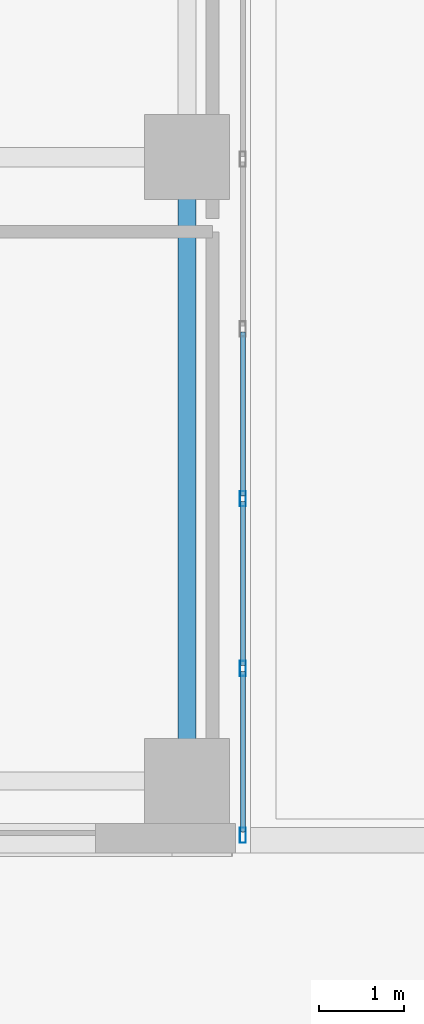
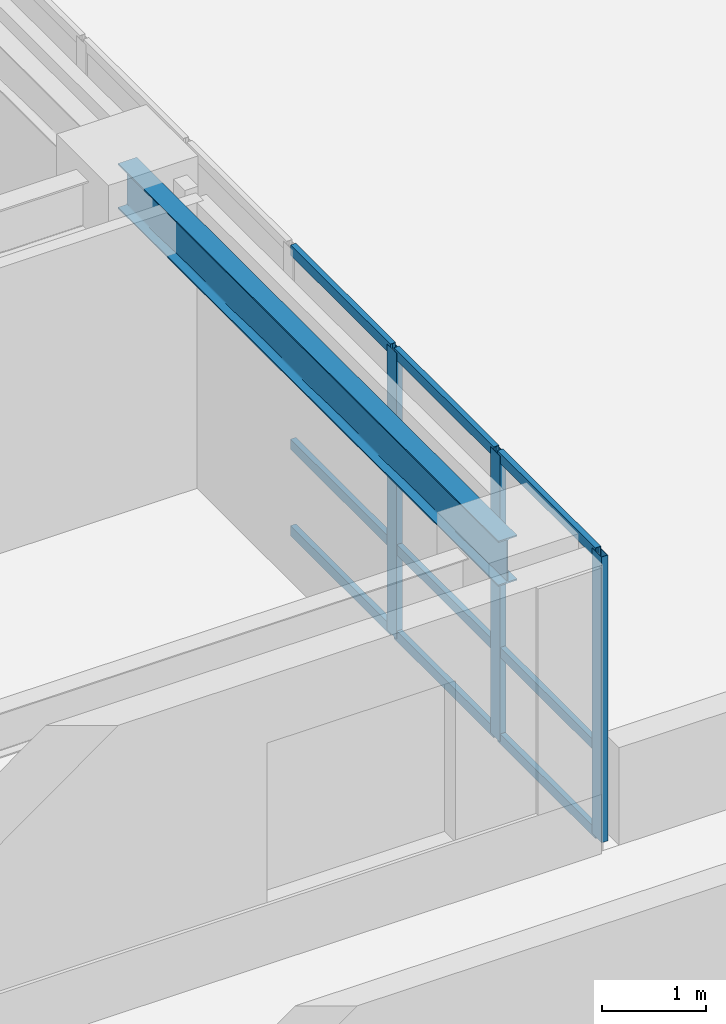
# One storey, part 2 of 25: 12 members, 1 beam, 1 element without a shape of its own.
"""IFC4 building model written with IfcOpenShell, lengths in metres."""

from ifc_helpers import new_model, si_unit, direction, frame, origin, origin_2d, place, context, subcontext, project, spatial, hollow_rectangle, i_section, extrude, source, transform, mapped, material, layer, layer_set, material_profile, profile_set, type_object, type_shapes, element, aggregate, save


model = new_model("IFC4")

# Units and contexts
model_context = context("Model", 3, precision=1e-05, world=origin(), true_north=direction((0.0, 1.0)))
body_context = subcontext(model_context, "Body", "Model", "MODEL_VIEW")
ifc_project = project(units=[si_unit("LENGTHUNIT", "METRE"), si_unit("AREAUNIT", "SQUARE_METRE"), si_unit("VOLUMEUNIT", "CUBIC_METRE"), si_unit("PLANEANGLEUNIT", "RADIAN"), si_unit("MASSUNIT", "GRAM", prefix="KILO")], contexts=[model_context])

# Site, building, storey
site_placement = place(None, origin())
site = spatial("IfcSite", under=ifc_project, at=site_placement, CompositionType="ELEMENT")
building_placement = place(site_placement, origin())
building = spatial("IfcBuilding", under=site, at=building_placement, Name="Tolvann Quenvar Hotel", CompositionType="ELEMENT")
storey_placement = place(building_placement, frame((0.0, 0.0, 32.0)))
storey = spatial("IfcBuildingStorey", under=building, at=storey_placement, Name="L06", CompositionType="ELEMENT", Elevation=32.0)

# Beam
ifc_material_1 = material(Name="Steel Grade 350", Category="steel")
ifc_material_profile_1 = material_profile(ifc_material_1, i_section(OverallWidth=0.208984375, OverallDepth=0.532958984375, WebThickness=0.01025390625, FlangeThickness=0.015625, FilletRadius=0.013916015625, at=origin_2d()), Name="530UB92")
ifc_profile_set_1 = profile_set([ifc_material_profile_1], Name="Steel Grade 350")
beam_type = type_object("IfcBeamType", Name="BM_GIRD_530UB92", PredefinedType="BEAM", material=ifc_profile_set_1)
shared_shape_1 = source(origin(), body_context, "Body", "SweptSolid", [
    extrude(i_section(OverallWidth=0.208984375, OverallDepth=0.532958984375, WebThickness=0.01025390625, FlangeThickness=0.015625, FilletRadius=0.013916015625, at=origin_2d()), origin(), (0.0, 0.0, 1.0), 7.349853515625),
])
type_shapes(beam_type, [shared_shape_1])
beam_placement = place(storey_placement, frame((22.050048828125, 0.85009765625, 3.103515625), z_axis=(0.0, 1.0, 0.0), x_axis=(-1.0, 0.0, 0.0)))
element("IfcBeam", 1, at=beam_placement, inside=storey, type_object=beam_type, Name="BM-L06-NS-E2-E3", PredefinedType="BEAM", context=body_context, shape_type="MappedRepresentation", body=[
    mapped(shared_shape_1, transform((0.0, 0.0, 0.0), x_axis=(1.0, 0.0, 0.0), y_axis=(0.0, 1.0, 0.0), z_axis=(0.0, 0.0, 1.0), scale=1.0)),
])

# Curtain wall, members
ifc_material_2 = material(Name="Thermally broken anodised architectural aluminium 6063-T6 and laminated low-E glass", Category="aluminium")
ifc_layer = layer(ifc_material_2, 0.179931640625)
ifc_layer_set = layer_set([ifc_layer], Name="Thermally broken anodised architectural aluminium 6063-T6 and laminated low-E glass")
curtain_wall_type = type_object("IfcCurtainWallType", Name="CW_SYS_SLOT_03", PredefinedType="USERDEFINED", material=ifc_layer_set)
curtain_wall_placement = place(storey_placement, origin())
curtain_wall = element("IfcCurtainWall", 2, at=curtain_wall_placement, inside=storey, type_object=curtain_wall_type, Name="Curtain Wall CW-SLOT-03 (CWR-L06-E05)", ObjectType="UNITISED CURTAIN WALL", PredefinedType="USERDEFINED")
ifc_material_3 = material(Name="Anodised architectural aluminium 6063-T6 framing", Category="aluminium")
ifc_material_profile_2 = material_profile(ifc_material_3, hollow_rectangle(XDim=0.070068359375, YDim=0.179931640625, WallThickness=0.00390625, at=origin_2d()), Name="180x70x4RHS")
ifc_profile_set_2 = profile_set([ifc_material_profile_2], Name="Anodised architectural aluminium 6063-T6 framing")
member_type_1 = type_object("IfcMemberType", Name="CW_MULL_180x70", PredefinedType="MULLION", material=ifc_profile_set_2)
shared_shape_2 = source(origin(), body_context, "Body", "SweptSolid", [
    extrude(hollow_rectangle(XDim=0.070068359375, YDim=0.179931640625, WallThickness=0.00390625, at=origin_2d()), origin(), (0.0, 0.0, 1.0), 3.3701171875),
])
type_shapes(member_type_1, [shared_shape_2])
member_1_placement = place(storey_placement, frame((22.7099609375, 0.2099609375, 0.0), z_axis=(0.0, 0.0, 1.0), x_axis=(-1.0, 0.0, 0.0)))
member_1 = element("IfcMember", 3, at=member_1_placement, type_object=member_type_1, Name="CW-SLOT-03 mullion 1", PredefinedType="MULLION", context=body_context, shape_type="MappedRepresentation", body=[
    mapped(shared_shape_2, transform((0.0, 0.0, 0.0), x_axis=(1.0, 0.0, 0.0), y_axis=(0.0, 1.0, 0.0), z_axis=(0.0, 0.0, 1.0), scale=1.0)),
])
member_2_placement = place(storey_placement, frame((22.7099609375, 2.175048828125, 0.0), z_axis=(0.0, 0.0, 1.0), x_axis=(-1.0, 0.0, 0.0)))
member_2 = element("IfcMember", 4, at=member_2_placement, type_object=member_type_1, Name="CW-SLOT-03 mullion 2", PredefinedType="MULLION", context=body_context, shape_type="MappedRepresentation", body=[
    mapped(shared_shape_2, transform((0.0, 0.0, 0.0), x_axis=(1.0, 0.0, 0.0), y_axis=(0.0, 1.0, 0.0), z_axis=(0.0, 0.0, 1.0), scale=1.0)),
])
member_3_placement = place(storey_placement, frame((22.7099609375, 4.175048828125, 0.0), z_axis=(0.0, 0.0, 1.0), x_axis=(-1.0, 0.0, 0.0)))
member_3 = element("IfcMember", 5, at=member_3_placement, type_object=member_type_1, Name="CW-SLOT-03 mullion 3", PredefinedType="MULLION", context=body_context, shape_type="MappedRepresentation", body=[
    mapped(shared_shape_2, transform((0.0, 0.0, 0.0), x_axis=(1.0, 0.0, 0.0), y_axis=(0.0, 1.0, 0.0), z_axis=(0.0, 0.0, 1.0), scale=1.0)),
])
ifc_material_profile_3 = material_profile(ifc_material_3, hollow_rectangle(XDim=0.06005859375, YDim=0.1201171875, WallThickness=0.00341796875, at=origin_2d()), Name="120x60x3.5RHS")
ifc_profile_set_3 = profile_set([ifc_material_profile_3], Name="Anodised architectural aluminium 6063-T6 framing")
member_type_2 = type_object("IfcMemberType", Name="CW_TRAN_120x60", PredefinedType="USERDEFINED", material=ifc_profile_set_3)
shared_shape_3 = source(origin(), body_context, "Body", "SweptSolid", [
    extrude(hollow_rectangle(XDim=0.06005859375, YDim=0.1201171875, WallThickness=0.00341796875, at=origin_2d()), origin(), (0.0, 0.0, 1.0), 1.894775390625),
])
member_4_placement = place(storey_placement, frame((22.7099609375, 0.2451171875, 0.030029296875), z_axis=(0.0, 1.0, 0.0), x_axis=(-1.0, 0.0, 0.0)))
member_4 = element("IfcMember", 6, at=member_4_placement, type_object=member_type_2, Name="CW-SLOT-03 transom 1.1", ObjectType="TRANSOM", PredefinedType="USERDEFINED", context=body_context, shape_type="MappedRepresentation", body=[
    mapped(shared_shape_3, transform((0.0, 0.0, 0.0), x_axis=(1.0, 0.0, 0.0), y_axis=(0.0, 1.0, 0.0), z_axis=(0.0, 0.0, 1.0), scale=1.0)),
])
member_5_placement = place(storey_placement, frame((22.7099609375, 0.2451171875, 1.050048828125), z_axis=(0.0, 1.0, 0.0), x_axis=(-1.0, 0.0, 0.0)))
member_5 = element("IfcMember", 7, at=member_5_placement, type_object=member_type_2, Name="CW-SLOT-03 transom 1.2", ObjectType="TRANSOM", PredefinedType="USERDEFINED", context=body_context, shape_type="MappedRepresentation", body=[
    mapped(shared_shape_3, transform((0.0, 0.0, 0.0), x_axis=(1.0, 0.0, 0.0), y_axis=(0.0, 1.0, 0.0), z_axis=(0.0, 0.0, 1.0), scale=1.0)),
])
member_6_placement = place(storey_placement, frame((22.7099609375, 0.2451171875, 3.340087890625), z_axis=(0.0, 1.0, 0.0), x_axis=(-1.0, 0.0, 0.0)))
member_6 = element("IfcMember", 8, at=member_6_placement, type_object=member_type_2, Name="CW-SLOT-03 transom 1.3", ObjectType="TRANSOM", PredefinedType="USERDEFINED", context=body_context, shape_type="MappedRepresentation", body=[
    mapped(shared_shape_3, transform((0.0, 0.0, 0.0), x_axis=(1.0, 0.0, 0.0), y_axis=(0.0, 1.0, 0.0), z_axis=(0.0, 0.0, 1.0), scale=1.0)),
])
shared_shape_4 = source(origin(), body_context, "Body", "SweptSolid", [
    extrude(hollow_rectangle(XDim=0.06005859375, YDim=0.1201171875, WallThickness=0.00341796875, at=origin_2d()), origin(), (0.0, 0.0, 1.0), 1.929931640625),
])
type_shapes(member_type_2, [shared_shape_3, shared_shape_4])
member_7_placement = place(storey_placement, frame((22.7099609375, 2.2099609375, 0.030029296875), z_axis=(0.0, 1.0, 0.0), x_axis=(-1.0, 0.0, 0.0)))
member_7 = element("IfcMember", 9, at=member_7_placement, type_object=member_type_2, Name="CW-SLOT-03 transom 2.1", ObjectType="TRANSOM", PredefinedType="USERDEFINED", context=body_context, shape_type="MappedRepresentation", body=[
    mapped(shared_shape_4, transform((0.0, 0.0, 0.0), x_axis=(1.0, 0.0, 0.0), y_axis=(0.0, 1.0, 0.0), z_axis=(0.0, 0.0, 1.0), scale=1.0)),
])
member_8_placement = place(storey_placement, frame((22.7099609375, 2.2099609375, 1.050048828125), z_axis=(0.0, 1.0, 0.0), x_axis=(-1.0, 0.0, 0.0)))
member_8 = element("IfcMember", 10, at=member_8_placement, type_object=member_type_2, Name="CW-SLOT-03 transom 2.2", ObjectType="TRANSOM", PredefinedType="USERDEFINED", context=body_context, shape_type="MappedRepresentation", body=[
    mapped(shared_shape_4, transform((0.0, 0.0, 0.0), x_axis=(1.0, 0.0, 0.0), y_axis=(0.0, 1.0, 0.0), z_axis=(0.0, 0.0, 1.0), scale=1.0)),
])
member_9_placement = place(storey_placement, frame((22.7099609375, 2.2099609375, 3.340087890625), z_axis=(0.0, 1.0, 0.0), x_axis=(-1.0, 0.0, 0.0)))
member_9 = element("IfcMember", 11, at=member_9_placement, type_object=member_type_2, Name="CW-SLOT-03 transom 2.3", ObjectType="TRANSOM", PredefinedType="USERDEFINED", context=body_context, shape_type="MappedRepresentation", body=[
    mapped(shared_shape_4, transform((0.0, 0.0, 0.0), x_axis=(1.0, 0.0, 0.0), y_axis=(0.0, 1.0, 0.0), z_axis=(0.0, 0.0, 1.0), scale=1.0)),
])
member_10_placement = place(storey_placement, frame((22.7099609375, 4.2099609375, 0.030029296875), z_axis=(0.0, 1.0, 0.0), x_axis=(-1.0, 0.0, 0.0)))
member_10 = element("IfcMember", 12, at=member_10_placement, type_object=member_type_2, Name="CW-SLOT-03 transom 3.1", ObjectType="TRANSOM", PredefinedType="USERDEFINED", context=body_context, shape_type="MappedRepresentation", body=[
    mapped(shared_shape_4, transform((0.0, 0.0, 0.0), x_axis=(1.0, 0.0, 0.0), y_axis=(0.0, 1.0, 0.0), z_axis=(0.0, 0.0, 1.0), scale=1.0)),
])
member_11_placement = place(storey_placement, frame((22.7099609375, 4.2099609375, 1.050048828125), z_axis=(0.0, 1.0, 0.0), x_axis=(-1.0, 0.0, 0.0)))
member_11 = element("IfcMember", 13, at=member_11_placement, type_object=member_type_2, Name="CW-SLOT-03 transom 3.2", ObjectType="TRANSOM", PredefinedType="USERDEFINED", context=body_context, shape_type="MappedRepresentation", body=[
    mapped(shared_shape_4, transform((0.0, 0.0, 0.0), x_axis=(1.0, 0.0, 0.0), y_axis=(0.0, 1.0, 0.0), z_axis=(0.0, 0.0, 1.0), scale=1.0)),
])
member_12_placement = place(storey_placement, frame((22.7099609375, 4.2099609375, 3.340087890625), z_axis=(0.0, 1.0, 0.0), x_axis=(-1.0, 0.0, 0.0)))
member_12 = element("IfcMember", 14, at=member_12_placement, type_object=member_type_2, Name="CW-SLOT-03 transom 3.3", ObjectType="TRANSOM", PredefinedType="USERDEFINED", context=body_context, shape_type="MappedRepresentation", body=[
    mapped(shared_shape_4, transform((0.0, 0.0, 0.0), x_axis=(1.0, 0.0, 0.0), y_axis=(0.0, 1.0, 0.0), z_axis=(0.0, 0.0, 1.0), scale=1.0)),
])
aggregate(curtain_wall, [member_1, member_2, member_3, member_4, member_5, member_6, member_7, member_8, member_9, member_10, member_11, member_12])

save(model, "model.ifc")
